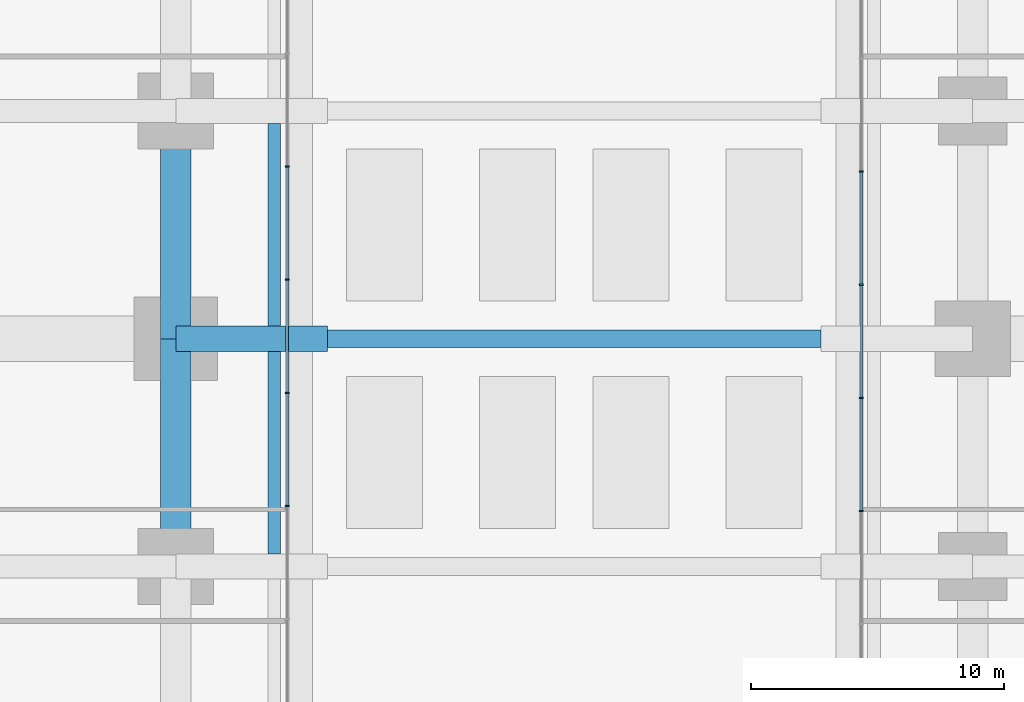
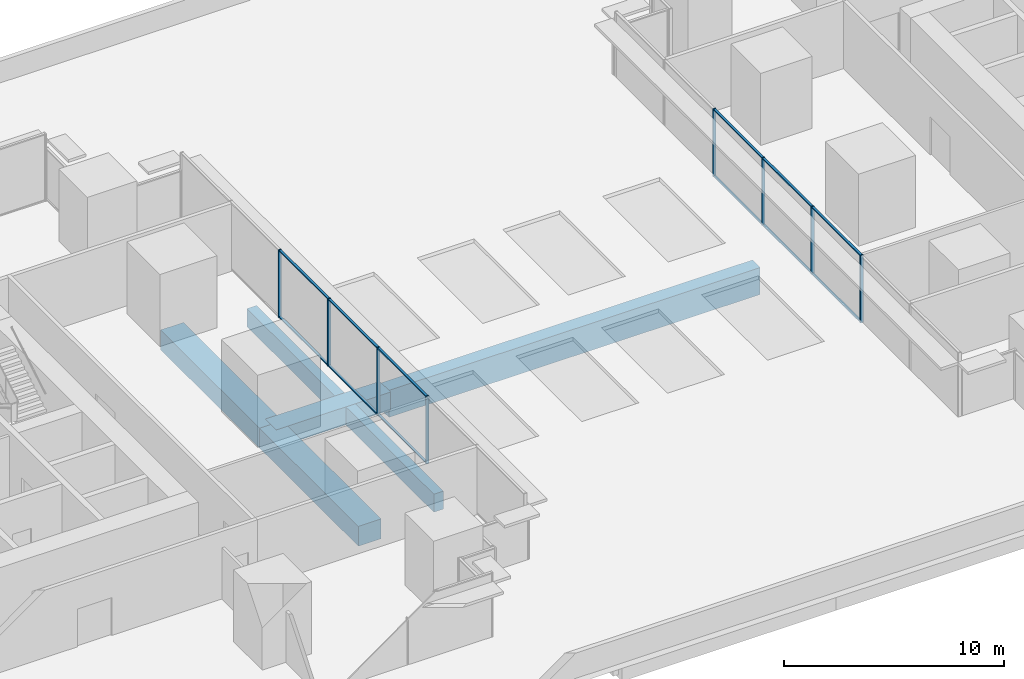
# One storey, part 7 of 34: 20 members, 6 beams, 2 elements without a shape of their own.
"""IFC4 building model written with IfcOpenShell, lengths in metres."""

from ifc_helpers import new_model, si_unit, direction, frame, origin, origin_2d, place, context, subcontext, project, spatial, rectangle, extrude, material, layer, layer_set, material_profile, profile_set, type_object, element, aggregate, save


model = new_model("IFC4")

# Units and contexts
model_context = context("Model", 3, precision=1e-05, world=origin(), true_north=direction((0.0, 1.0)))
body_context = subcontext(model_context, "Body", "Model", "MODEL_VIEW")
ifc_project = project(units=[si_unit("LENGTHUNIT", "METRE"), si_unit("AREAUNIT", "SQUARE_METRE"), si_unit("VOLUMEUNIT", "CUBIC_METRE"), si_unit("PLANEANGLEUNIT", "RADIAN"), si_unit("MASSUNIT", "GRAM", prefix="KILO")], contexts=[model_context])

# Site, building, storey
site_placement = place(None, origin())
site = spatial("IfcSite", under=ifc_project, at=site_placement, CompositionType="ELEMENT")
building_placement = place(site_placement, origin())
building = spatial("IfcBuilding", under=site, at=building_placement, Name="Namib Vertical Campus", CompositionType="ELEMENT")
storey_placement = place(building_placement, frame((0.0, 0.0, 21.0)))
storey = spatial("IfcBuildingStorey", under=building, at=storey_placement, Name="L04", CompositionType="ELEMENT", Elevation=21.0)

# Beam
ifc_material_1 = material(Name="Concrete C40/50", Category="concrete")
ifc_material_profile_1 = material_profile(ifc_material_1, rectangle(XDim=0.699951171875, YDim=1.5, at=origin_2d()))
ifc_profile_set_1 = profile_set([ifc_material_profile_1], Name="Concrete C40/50")
beam_type_1 = type_object("IfcBeamType", Name="Atrium roof girder RC 700x1500", PredefinedType="BEAM", material=ifc_profile_set_1)
beam_1_placement = place(storey_placement, frame((42.0, 20.25, -1.050048828125), z_axis=(1.0, 0.0, 0.0), x_axis=(0.0, 1.0, 0.0)))
element("IfcBeam", 1, at=beam_1_placement, inside=storey, type_object=beam_type_1, Name="Beam PB2 L04", PredefinedType="BEAM", context=body_context, shape_type="SweptSolid", body=[
    extrude(rectangle(XDim=0.699951171875, YDim=1.5, at=origin_2d()), origin(), (0.0, 0.0, 1.0), 19.5),
])

# Curtain wall, members
ifc_material_2 = material(Name="Black aluminium curtain wall", Category="aluminium")
ifc_layer = layer(ifc_material_2, 0.199951171875)
ifc_layer_set = layer_set([ifc_layer], Name="Lounge curtain wall CW-L4")
curtain_wall_type = type_object("IfcCurtainWallType", Name="Lounge curtain wall CW-L4", PredefinedType="USERDEFINED", material=ifc_layer_set)
curtain_wall_1_placement = place(storey_placement, origin())
curtain_wall_1 = element("IfcCurtainWall", 2, at=curtain_wall_1_placement, inside=storey, type_object=curtain_wall_type, Name="Curtain wall CW-L4 L04 F06-1", ObjectType="CURTAIN WALL", PredefinedType="USERDEFINED")
ifc_material_3 = material(Name="Black anodised aluminium", Category="aluminium")
ifc_material_profile_2 = material_profile(ifc_material_3, rectangle(XDim=0.06005859375, YDim=0.159912109375, at=origin_2d()))
ifc_profile_set_2 = profile_set([ifc_material_profile_2], Name="Black anodised aluminium")
member_type_1 = type_object("IfcMemberType", Name="Curtain wall mullion 60x160", PredefinedType="MULLION", material=ifc_profile_set_2)
member_1_placement = place(storey_placement, frame((40.39990234375, 13.642822265625, 0.0), z_axis=(0.0, 0.0, 1.0), x_axis=(0.0, 1.0, 0.0)))
member_1 = element("IfcMember", 3, at=member_1_placement, type_object=member_type_1, Name="CW-L4 mullion 3", PredefinedType="MULLION", context=body_context, shape_type="SweptSolid", body=[
    extrude(rectangle(XDim=0.06005859375, YDim=0.159912109375, at=origin_2d()), origin(), (0.0, 0.0, 1.0), 3.75),
])
member_2_placement = place(storey_placement, frame((40.39990234375, 18.1142578125, 0.0), z_axis=(0.0, 0.0, 1.0), x_axis=(0.0, 1.0, 0.0)))
member_2 = element("IfcMember", 4, at=member_2_placement, type_object=member_type_1, Name="CW-L4 mullion 4", PredefinedType="MULLION", context=body_context, shape_type="SweptSolid", body=[
    extrude(rectangle(XDim=0.06005859375, YDim=0.159912109375, at=origin_2d()), origin(), (0.0, 0.0, 1.0), 3.75),
])
member_3_placement = place(storey_placement, frame((40.39990234375, 22.585693359375, 0.0), z_axis=(0.0, 0.0, 1.0), x_axis=(0.0, 1.0, 0.0)))
member_3 = element("IfcMember", 5, at=member_3_placement, type_object=member_type_1, Name="CW-L4 mullion 5", PredefinedType="MULLION", context=body_context, shape_type="SweptSolid", body=[
    extrude(rectangle(XDim=0.06005859375, YDim=0.159912109375, at=origin_2d()), origin(), (0.0, 0.0, 1.0), 3.75),
])
member_4_placement = place(storey_placement, frame((40.39990234375, 27.05712890625, 0.0), z_axis=(0.0, 0.0, 1.0), x_axis=(0.0, 1.0, 0.0)))
member_4 = element("IfcMember", 6, at=member_4_placement, type_object=member_type_1, Name="CW-L4 mullion 6", PredefinedType="MULLION", context=body_context, shape_type="SweptSolid", body=[
    extrude(rectangle(XDim=0.06005859375, YDim=0.159912109375, at=origin_2d()), origin(), (0.0, 0.0, 1.0), 3.75),
])

curtain_wall_2_placement = place(storey_placement, origin())
curtain_wall_2 = element("IfcCurtainWall", 7, at=curtain_wall_2_placement, inside=storey, type_object=curtain_wall_type, Name="Curtain wall CW-L4 L04 F16-1", ObjectType="CURTAIN WALL", PredefinedType="USERDEFINED")
member_5_placement = place(storey_placement, frame((63.10009765625, 26.857177734375, 0.0), z_axis=(0.0, 0.0, 1.0), x_axis=(0.0, -1.0, 0.0)))
member_5 = element("IfcMember", 8, at=member_5_placement, type_object=member_type_1, Name="CW-L4 mullion 3", PredefinedType="MULLION", context=body_context, shape_type="SweptSolid", body=[
    extrude(rectangle(XDim=0.06005859375, YDim=0.159912109375, at=origin_2d()), origin(), (0.0, 0.0, 1.0), 3.75),
])
member_6_placement = place(storey_placement, frame((63.10009765625, 22.3857421875, 0.0), z_axis=(0.0, 0.0, 1.0), x_axis=(0.0, -1.0, 0.0)))
member_6 = element("IfcMember", 9, at=member_6_placement, type_object=member_type_1, Name="CW-L4 mullion 4", PredefinedType="MULLION", context=body_context, shape_type="SweptSolid", body=[
    extrude(rectangle(XDim=0.06005859375, YDim=0.159912109375, at=origin_2d()), origin(), (0.0, 0.0, 1.0), 3.75),
])
member_7_placement = place(storey_placement, frame((63.10009765625, 17.914306640625, 0.0), z_axis=(0.0, 0.0, 1.0), x_axis=(0.0, -1.0, 0.0)))
member_7 = element("IfcMember", 10, at=member_7_placement, type_object=member_type_1, Name="CW-L4 mullion 5", PredefinedType="MULLION", context=body_context, shape_type="SweptSolid", body=[
    extrude(rectangle(XDim=0.06005859375, YDim=0.159912109375, at=origin_2d()), origin(), (0.0, 0.0, 1.0), 3.75),
])
member_8_placement = place(storey_placement, frame((63.10009765625, 13.44287109375, 0.0), z_axis=(0.0, 0.0, 1.0), x_axis=(0.0, -1.0, 0.0)))
member_8 = element("IfcMember", 11, at=member_8_placement, type_object=member_type_1, Name="CW-L4 mullion 6", PredefinedType="MULLION", context=body_context, shape_type="SweptSolid", body=[
    extrude(rectangle(XDim=0.06005859375, YDim=0.159912109375, at=origin_2d()), origin(), (0.0, 0.0, 1.0), 3.75),
])

# Member
ifc_material_4 = material(Name="Black anodised aluminium", Category="aluminium")
ifc_material_profile_3 = material_profile(ifc_material_4, rectangle(XDim=0.06005859375, YDim=0.1201171875, at=origin_2d()))
ifc_profile_set_3 = profile_set([ifc_material_profile_3], Name="Black anodised aluminium")
member_type_2 = type_object("IfcMemberType", Name="Curtain wall transom 60x120", PredefinedType="USERDEFINED", material=ifc_profile_set_3)
member_9_placement = place(storey_placement, frame((40.39990234375, 13.6728515625, 0.030029296875), z_axis=(0.0, 1.0, 0.0), x_axis=(0.0, 0.0, 1.0)))
member_9 = element("IfcMember", 12, at=member_9_placement, type_object=member_type_2, Name="CW-L4 transom 3.1", ObjectType="TRANSOM", PredefinedType="USERDEFINED", context=body_context, shape_type="SweptSolid", body=[
    extrude(rectangle(XDim=0.06005859375, YDim=0.1201171875, at=origin_2d()), origin(), (0.0, 0.0, 1.0), 4.411376953125),
])

member_10_placement = place(storey_placement, frame((40.39990234375, 13.6728515625, 3.719970703125), z_axis=(0.0, 1.0, 0.0), x_axis=(0.0, 0.0, 1.0)))
member_10 = element("IfcMember", 13, at=member_10_placement, type_object=member_type_2, Name="CW-L4 transom 3.2", ObjectType="TRANSOM", PredefinedType="USERDEFINED", context=body_context, shape_type="SweptSolid", body=[
    extrude(rectangle(XDim=0.06005859375, YDim=0.1201171875, at=origin_2d()), origin(), (0.0, 0.0, 1.0), 4.411376953125),
])

member_11_placement = place(storey_placement, frame((40.39990234375, 18.144287109375, 0.030029296875), z_axis=(0.0, 1.0, 0.0), x_axis=(0.0, 0.0, 1.0)))
member_11 = element("IfcMember", 14, at=member_11_placement, type_object=member_type_2, Name="CW-L4 transom 4.1", ObjectType="TRANSOM", PredefinedType="USERDEFINED", context=body_context, shape_type="SweptSolid", body=[
    extrude(rectangle(XDim=0.06005859375, YDim=0.1201171875, at=origin_2d()), origin(), (0.0, 0.0, 1.0), 4.411376953125),
])

member_12_placement = place(storey_placement, frame((40.39990234375, 18.144287109375, 3.719970703125), z_axis=(0.0, 1.0, 0.0), x_axis=(0.0, 0.0, 1.0)))
member_12 = element("IfcMember", 15, at=member_12_placement, type_object=member_type_2, Name="CW-L4 transom 4.2", ObjectType="TRANSOM", PredefinedType="USERDEFINED", context=body_context, shape_type="SweptSolid", body=[
    extrude(rectangle(XDim=0.06005859375, YDim=0.1201171875, at=origin_2d()), origin(), (0.0, 0.0, 1.0), 4.411376953125),
])

member_13_placement = place(storey_placement, frame((40.39990234375, 22.61572265625, 0.030029296875), z_axis=(0.0, 1.0, 0.0), x_axis=(0.0, 0.0, 1.0)))
member_13 = element("IfcMember", 16, at=member_13_placement, type_object=member_type_2, Name="CW-L4 transom 5.1", ObjectType="TRANSOM", PredefinedType="USERDEFINED", context=body_context, shape_type="SweptSolid", body=[
    extrude(rectangle(XDim=0.06005859375, YDim=0.1201171875, at=origin_2d()), origin(), (0.0, 0.0, 1.0), 4.411376953125),
])

member_14_placement = place(storey_placement, frame((40.39990234375, 22.61572265625, 3.719970703125), z_axis=(0.0, 1.0, 0.0), x_axis=(0.0, 0.0, 1.0)))
member_14 = element("IfcMember", 17, at=member_14_placement, type_object=member_type_2, Name="CW-L4 transom 5.2", ObjectType="TRANSOM", PredefinedType="USERDEFINED", context=body_context, shape_type="SweptSolid", body=[
    extrude(rectangle(XDim=0.06005859375, YDim=0.1201171875, at=origin_2d()), origin(), (0.0, 0.0, 1.0), 4.411376953125),
])

aggregate(curtain_wall_1, [member_1, member_2, member_3, member_4, member_9, member_10, member_11, member_12, member_13, member_14])

member_15_placement = place(storey_placement, frame((63.10009765625, 26.8271484375, 0.030029296875), z_axis=(0.0, -1.0, 0.0), x_axis=(0.0, 0.0, 1.0)))
member_15 = element("IfcMember", 18, at=member_15_placement, type_object=member_type_2, Name="CW-L4 transom 3.1", ObjectType="TRANSOM", PredefinedType="USERDEFINED", context=body_context, shape_type="SweptSolid", body=[
    extrude(rectangle(XDim=0.06005859375, YDim=0.1201171875, at=origin_2d()), origin(), (0.0, 0.0, 1.0), 4.411376953125),
])

member_16_placement = place(storey_placement, frame((63.10009765625, 26.8271484375, 3.719970703125), z_axis=(0.0, -1.0, 0.0), x_axis=(0.0, 0.0, 1.0)))
member_16 = element("IfcMember", 19, at=member_16_placement, type_object=member_type_2, Name="CW-L4 transom 3.2", ObjectType="TRANSOM", PredefinedType="USERDEFINED", context=body_context, shape_type="SweptSolid", body=[
    extrude(rectangle(XDim=0.06005859375, YDim=0.1201171875, at=origin_2d()), origin(), (0.0, 0.0, 1.0), 4.411376953125),
])

member_17_placement = place(storey_placement, frame((63.10009765625, 22.355712890625, 0.030029296875), z_axis=(0.0, -1.0, 0.0), x_axis=(0.0, 0.0, 1.0)))
member_17 = element("IfcMember", 20, at=member_17_placement, type_object=member_type_2, Name="CW-L4 transom 4.1", ObjectType="TRANSOM", PredefinedType="USERDEFINED", context=body_context, shape_type="SweptSolid", body=[
    extrude(rectangle(XDim=0.06005859375, YDim=0.1201171875, at=origin_2d()), origin(), (0.0, 0.0, 1.0), 4.411376953125),
])

member_18_placement = place(storey_placement, frame((63.10009765625, 22.355712890625, 3.719970703125), z_axis=(0.0, -1.0, 0.0), x_axis=(0.0, 0.0, 1.0)))
member_18 = element("IfcMember", 21, at=member_18_placement, type_object=member_type_2, Name="CW-L4 transom 4.2", ObjectType="TRANSOM", PredefinedType="USERDEFINED", context=body_context, shape_type="SweptSolid", body=[
    extrude(rectangle(XDim=0.06005859375, YDim=0.1201171875, at=origin_2d()), origin(), (0.0, 0.0, 1.0), 4.411376953125),
])

member_19_placement = place(storey_placement, frame((63.10009765625, 17.88427734375, 0.030029296875), z_axis=(0.0, -1.0, 0.0), x_axis=(0.0, 0.0, 1.0)))
member_19 = element("IfcMember", 22, at=member_19_placement, type_object=member_type_2, Name="CW-L4 transom 5.1", ObjectType="TRANSOM", PredefinedType="USERDEFINED", context=body_context, shape_type="SweptSolid", body=[
    extrude(rectangle(XDim=0.06005859375, YDim=0.1201171875, at=origin_2d()), origin(), (0.0, 0.0, 1.0), 4.411376953125),
])

member_20_placement = place(storey_placement, frame((63.10009765625, 17.88427734375, 3.719970703125), z_axis=(0.0, -1.0, 0.0), x_axis=(0.0, 0.0, 1.0)))
member_20 = element("IfcMember", 23, at=member_20_placement, type_object=member_type_2, Name="CW-L4 transom 5.2", ObjectType="TRANSOM", PredefinedType="USERDEFINED", context=body_context, shape_type="SweptSolid", body=[
    extrude(rectangle(XDim=0.06005859375, YDim=0.1201171875, at=origin_2d()), origin(), (0.0, 0.0, 1.0), 4.411376953125),
])

aggregate(curtain_wall_2, [member_5, member_6, member_7, member_8, member_15, member_16, member_17, member_18, member_19, member_20])

# Beams
ifc_material_5 = material(Name="Concrete C40/50", Category="concrete")
ifc_material_profile_4 = material_profile(ifc_material_5, rectangle(XDim=1.199951171875, YDim=1.10009765625, at=origin_2d()))
ifc_profile_set_4 = profile_set([ifc_material_profile_4], Name="Concrete C40/50")
beam_type_2 = type_object("IfcBeamType", Name="Face ring beam RC 1200x1100", PredefinedType="BEAM", material=ifc_profile_set_4)
for number, where, z_axis, x_axis, name in (
    (24, (36.0, 11.25, -0.85009765625), (0.0, 1.0, 0.0), (-1.0, 0.0, 0.0), "Beam B11 L04"),
    (25, (36.0, 20.25, -0.85009765625), (0.0, 1.0, 0.0), (-1.0, 0.0, 0.0), "Beam B11 L04"),
):
    element("IfcBeam", number, at=place(storey_placement, frame(where, z_axis=z_axis, x_axis=x_axis)), inside=storey, type_object=beam_type_2, Name=name, PredefinedType="BEAM", context=body_context, shape_type="SweptSolid", body=[
        extrude(rectangle(XDim=1.199951171875, YDim=1.10009765625, at=origin_2d()), origin(), (0.0, 0.0, 1.0), 9.0),
    ])
ifc_material_6 = material(Name="Concrete C40/50", Category="concrete")
ifc_material_profile_5 = material_profile(ifc_material_6, rectangle(XDim=0.5, YDim=1.0, at=origin_2d()))
ifc_profile_set_5 = profile_set([ifc_material_profile_5], Name="Concrete C40/50")
beam_type_3 = type_object("IfcBeamType", Name="Podium roof edge beam RC 500x1000", PredefinedType="SPANDREL", material=ifc_profile_set_5)
for number, where, z_axis, x_axis, name in (
    (26, (39.89990234375, 11.75, -0.800048828125), (0.0, 1.0, 0.0), (-1.0, 0.0, 0.0), "Beam B8 L04"),
    (27, (39.89990234375, 20.75, -0.800048828125), (0.0, 1.0, 0.0), (-1.0, 0.0, 0.0), "Beam B8 L04"),
):
    element("IfcBeam", number, at=place(storey_placement, frame(where, z_axis=z_axis, x_axis=x_axis)), inside=storey, type_object=beam_type_3, Name=name, PredefinedType="SPANDREL", context=body_context, shape_type="SweptSolid", body=[
        extrude(rectangle(XDim=0.5, YDim=1.0, at=origin_2d()), origin(), (0.0, 0.0, 1.0), 8.0),
    ])
ifc_material_7 = material(Name="Concrete C40/50", Category="concrete")
ifc_material_profile_6 = material_profile(ifc_material_7, rectangle(XDim=1.0, YDim=1.0, at=origin_2d()))
ifc_profile_set_6 = profile_set([ifc_material_profile_6], Name="Concrete C40/50")
beam_type_4 = type_object("IfcBeamType", Name="Podium tie beam RC 1000x1000", PredefinedType="BEAM", material=ifc_profile_set_6)
beam_2_placement = place(storey_placement, frame((36.0, 20.25, -0.800048828125), z_axis=(1.0, 0.0, 0.0), x_axis=(0.0, 1.0, 0.0)))
element("IfcBeam", 28, at=beam_2_placement, inside=storey, type_object=beam_type_4, Name="Beam PB3 L04", PredefinedType="BEAM", context=body_context, shape_type="SweptSolid", body=[
    extrude(rectangle(XDim=1.0, YDim=1.0, at=origin_2d()), origin(), (0.0, 0.0, 1.0), 6.0),
])

save(model, "model.ifc")
